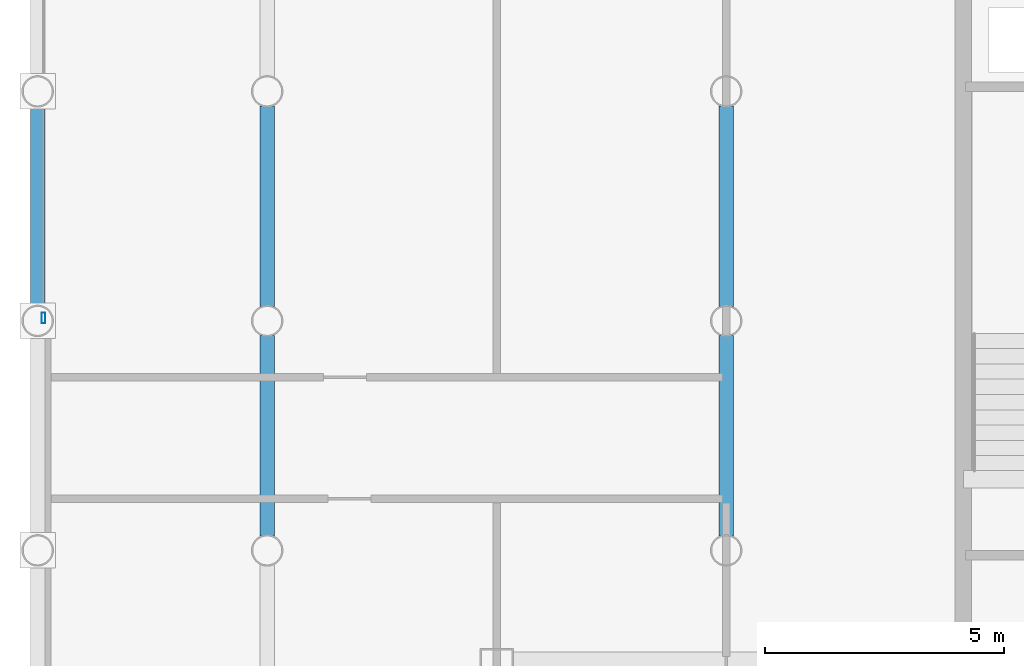
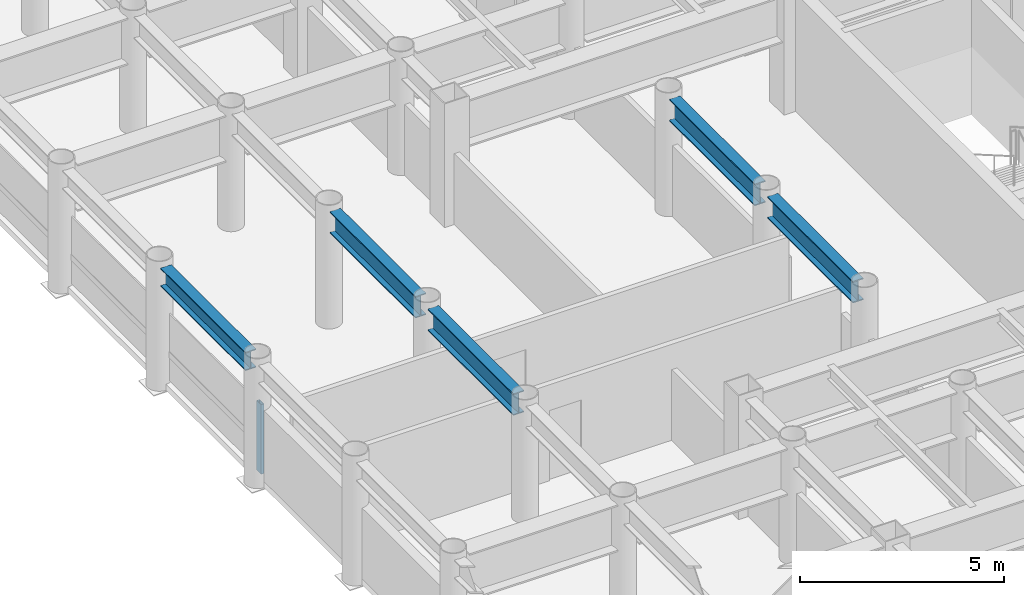
# One storey, part 4 of 23: 5 beams, 1 member, 1 element without a shape of its own.
"""IFC4 building model written with IfcOpenShell, lengths in metres."""

from ifc_helpers import new_model, si_unit, direction, frame, origin, origin_2d, place, context, subcontext, project, spatial, hollow_rectangle, i_section, extrude, material, layer, layer_set, material_profile, profile_set, type_object, element, aggregate, save


model = new_model("IFC4")

# Units and contexts
model_context = context("Model", 3, precision=1e-05, world=origin(), true_north=direction((0.0, 1.0)))
body_context = subcontext(model_context, "Body", "Model", "MODEL_VIEW")
ifc_project = project(units=[si_unit("LENGTHUNIT", "METRE"), si_unit("AREAUNIT", "SQUARE_METRE"), si_unit("VOLUMEUNIT", "CUBIC_METRE"), si_unit("PLANEANGLEUNIT", "RADIAN"), si_unit("MASSUNIT", "GRAM", prefix="KILO")], contexts=[model_context])

# Site, building, storey
site_placement = place(None, origin())
site = spatial("IfcSite", under=ifc_project, at=site_placement, CompositionType="ELEMENT")
building_placement = place(site_placement, origin())
building = spatial("IfcBuilding", under=site, at=building_placement, Name="Kallvorn Hotel Tower", CompositionType="ELEMENT")
storey_placement = place(building_placement, frame((0.0, 0.0, 124.800048828125)))
storey = spatial("IfcBuildingStorey", under=building, at=storey_placement, Name="L30", CompositionType="ELEMENT", Elevation=124.800048828125)

# Beams
ifc_material_1 = material(Name="Structural steel S355JR", Category="steel")
ifc_material_profile_1 = material_profile(ifc_material_1, i_section(OverallWidth=0.300048828125, OverallDepth=0.550048828125, WebThickness=0.014892578125, FlangeThickness=0.029052734375, at=origin_2d()), Name="HE 550 B")
ifc_profile_set_1 = profile_set([ifc_material_profile_1], Name="Structural steel S355JR")
beam_type_1 = type_object("IfcBeamType", Name="BM_HE550B", PredefinedType="SPANDREL", material=ifc_profile_set_1)
beam_placement = place(storey_placement, frame((-33.60009765625, 0.320068359375, 3.244873046875), z_axis=(0.0, 1.0, 0.0), x_axis=(-1.0, 0.0, 0.0)))
element("IfcBeam", 1, at=beam_placement, inside=storey, type_object=beam_type_1, Name="L31 Perimeter Spandrel 177", PredefinedType="SPANDREL", context=body_context, shape_type="SweptSolid", body=[
    extrude(i_section(OverallWidth=0.300048828125, OverallDepth=0.550048828125, WebThickness=0.014892578125, FlangeThickness=0.029052734375, at=origin_2d()), origin(), (0.0, 0.0, 1.0), 4.159912109375),
])
ifc_material_2 = material(Name="Structural steel S355JR", Category="steel")
ifc_material_profile_2 = material_profile(ifc_material_2, i_section(OverallWidth=0.300048828125, OverallDepth=0.64990234375, WebThickness=0.01611328125, FlangeThickness=0.031005859375, at=origin_2d()), Name="HE 650 B")
ifc_profile_set_2 = profile_set([ifc_material_profile_2], Name="Structural steel S355JR")
beam_type_2 = type_object("IfcBeamType", Name="BM_HE650B", PredefinedType="BEAM", material=ifc_profile_set_2)
for number, where, z_axis, x_axis, name in (
    (2, (-28.800048828125, -4.4951171875, 3.195068359375), (0.0, 1.0, 0.0), (-1.0, 0.0, 0.0), "L31 Primary Y-Girder 76"),
    (3, (-28.800048828125, 0.304931640625, 3.195068359375), (0.0, 1.0, 0.0), (-1.0, 0.0, 0.0), "L31 Primary Y-Girder 77"),
    (4, (-19.199951171875, -4.4951171875, 3.195068359375), (0.0, 1.0, 0.0), (-1.0, 0.0, 0.0), "L31 Primary Y-Girder 92"),
    (5, (-19.199951171875, 0.304931640625, 3.195068359375), (0.0, 1.0, 0.0), (-1.0, 0.0, 0.0), "L31 Primary Y-Girder 93"),
):
    element("IfcBeam", number, at=place(storey_placement, frame(where, z_axis=z_axis, x_axis=x_axis)), inside=storey, type_object=beam_type_2, Name=name, PredefinedType="BEAM", context=body_context, shape_type="SweptSolid", body=[
        extrude(i_section(OverallWidth=0.300048828125, OverallDepth=0.64990234375, WebThickness=0.01611328125, FlangeThickness=0.031005859375, at=origin_2d()), origin(), (0.0, 0.0, 1.0), 4.190185546875),
    ])

# Curtain wall, member
ifc_material_3 = material(Name="Thermally broken black-anodised aluminium AA 6063-T6", Category="aluminium")
ifc_layer = layer(ifc_material_3, 0.2099609375)
ifc_layer_set = layer_set([ifc_layer], Name="CW_SYS_4_HOTEL_MID")
curtain_wall_type = type_object("IfcCurtainWallType", Name="CW_SYS_4_HOTEL_MID", PredefinedType="USERDEFINED", material=ifc_layer_set)
curtain_wall_placement = place(storey_placement, origin())
curtain_wall = element("IfcCurtainWall", 6, at=curtain_wall_placement, inside=storey, type_object=curtain_wall_type, Name="L30 Dark-Glass Curtain Wall CW-L30-WN", ObjectType="UNITISED CURTAIN WALL", PredefinedType="USERDEFINED")
ifc_material_4 = material(Name="Thermally broken black-anodised aluminium AA 6063-T6", Category="aluminium")
ifc_material_profile_3 = material_profile(ifc_material_4, hollow_rectangle(XDim=0.080078125, YDim=0.219970703125, WallThickness=0.0048828125, at=origin_2d()), Name="MUL 220x80")
ifc_profile_set_3 = profile_set([ifc_material_profile_3], Name="Thermally broken black-anodised aluminium AA 6063-T6")
member_type = type_object("IfcMemberType", Name="CW_MULLION_220x80", PredefinedType="MULLION", material=ifc_profile_set_3)
member_placement = place(storey_placement, frame((-33.47998046875, 0.06005859375, 0.02001953125), z_axis=(0.0, 0.0, 1.0), x_axis=(1.0, 0.0, 0.0)))
member = element("IfcMember", 7, at=member_placement, type_object=member_type, Name="CW-L30-WN Mullion 00", PredefinedType="MULLION", context=body_context, shape_type="SweptSolid", body=[
    extrude(hollow_rectangle(XDim=0.080078125, YDim=0.219970703125, WallThickness=0.0048828125, at=origin_2d()), origin(), (0.0, 0.0, 1.0), 2.079833984375),
])
aggregate(curtain_wall, [member])

save(model, "model.ifc")
